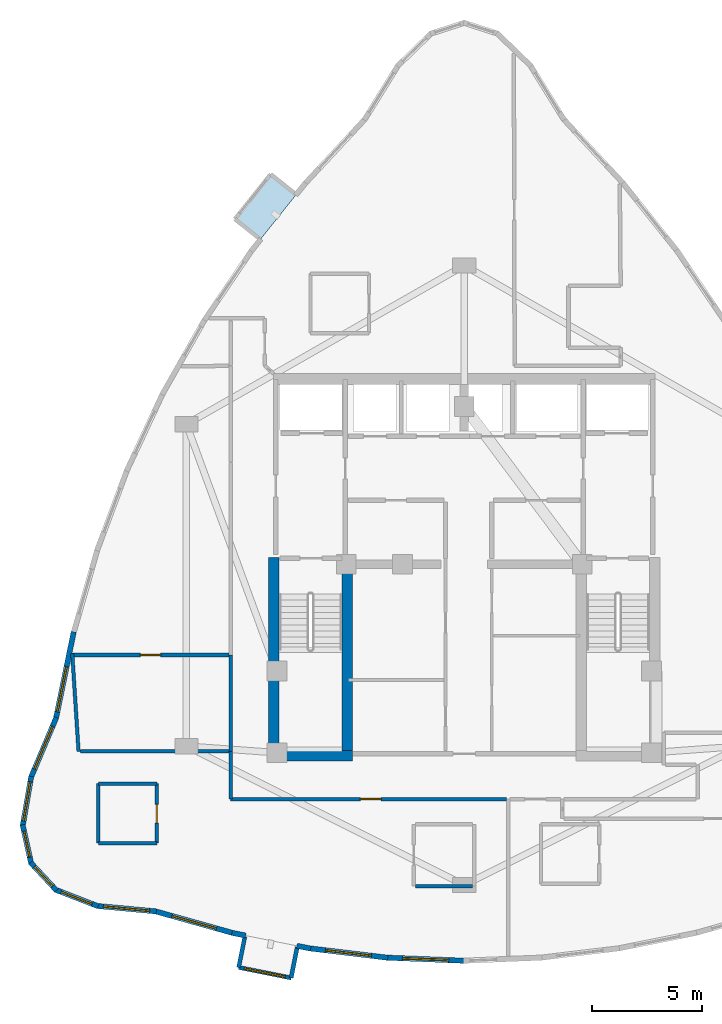
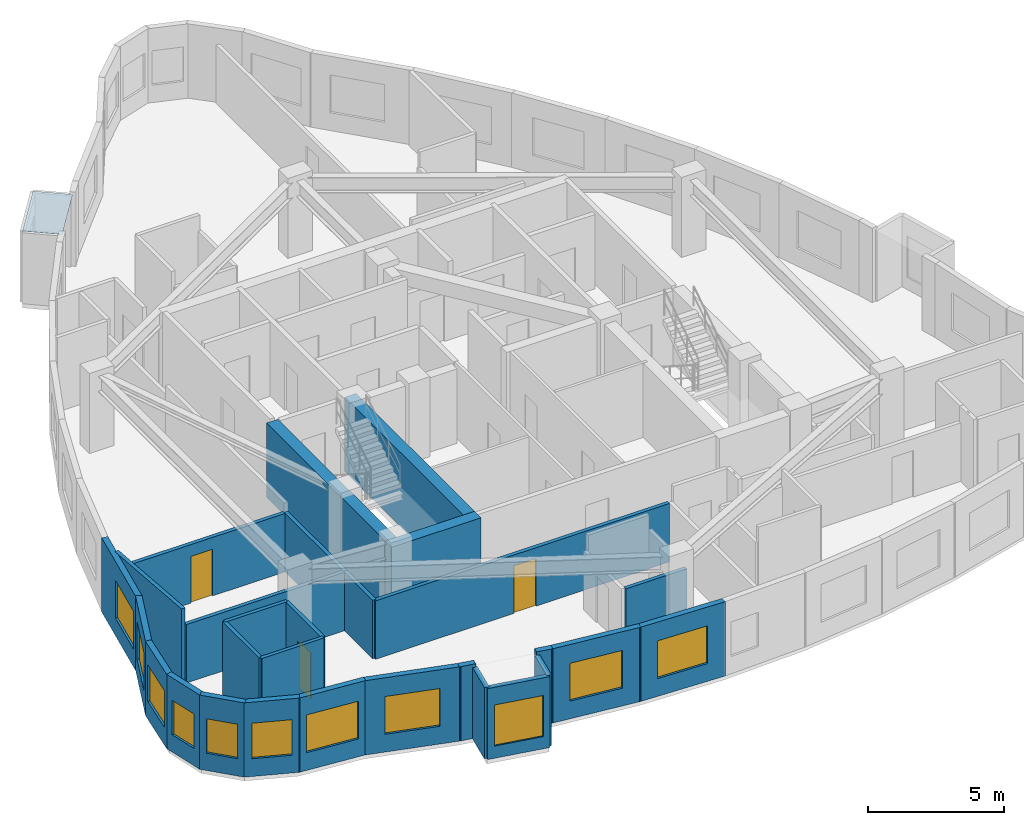
# One storey, part 7 of 12: 29 walls, 11 windows, 3 doors, 1 plate, 14 openings.
"""IFC4 building model written with IfcOpenShell, lengths in metres."""

from ifc_helpers import new_model, si_unit, direction, frame, frame_2d, origin, place, context, subcontext, project, spatial, polyline, rectangle, outline, extrude, material, layer, layer_set, type_object, element, fill, save


model = new_model("IFC4")

# Units and contexts
model_context = context("Model", 3, precision=1e-05, world=origin(), true_north=direction((0.0, 1.0)))
body_context = subcontext(model_context, "Body", "Model", "MODEL_VIEW")
ifc_project = project(units=[si_unit("LENGTHUNIT", "METRE"), si_unit("AREAUNIT", "SQUARE_METRE"), si_unit("VOLUMEUNIT", "CUBIC_METRE"), si_unit("PLANEANGLEUNIT", "RADIAN"), si_unit("MASSUNIT", "GRAM", prefix="KILO")], contexts=[model_context])

# Site, building, storey
site_placement = place(None, origin())
site = spatial("IfcSite", under=ifc_project, at=site_placement, CompositionType="ELEMENT")
building_placement = place(site_placement, origin())
building = spatial("IfcBuilding", under=site, at=building_placement, Name="Miruveldt Soraemaru", CompositionType="ELEMENT")
storey_placement = place(building_placement, frame((0.0, 0.0, 219.60009765625)))
storey = spatial("IfcBuildingStorey", under=building, at=storey_placement, Name="L60", CompositionType="ELEMENT", Elevation=219.60009765625)

# Plate
ifc_material_1 = material(Name="Standing-seam titanium-zinc sheet", Category="aluminium")
ifc_layer_1 = layer(ifc_material_1, 0.011962890625, Name="Standing-seam titanium-zinc sheet", Category="aluminium")
ifc_layer_set_1 = layer_set([ifc_layer_1], Name="Standing-seam titanium-zinc sheet")
plate_type = type_object("IfcPlateType", Name="PLT-ZINC-12", PredefinedType="SHEET", material=ifc_layer_set_1)
plate_placement = place(storey_placement, frame((0.0, 0.0, 3.19482421875)))
element("IfcPlate", 1, at=plate_placement, inside=storey, type_object=plate_type, Name="L60 Bay Window Zinc Hood Sheet 3", PredefinedType="SHEET", context=body_context, shape_type="SweptSolid", body=[
    extrude(outline(polyline([(36.3779296875, 60.817138671875), (34.75634765625, 58.784912109375), (33.599365234375, 59.707763671875), (35.220947265625, 61.740234375), (36.3779296875, 60.817138671875)])), origin(), (0.0, 0.0, 1.0), 0.011962890625),
])

# Walls
ifc_material_2 = material(Name="White powder-coated aluminium EN AW-6060 T6", Category="aluminium")
ifc_layer_2 = layer(ifc_material_2, 0.18994140625, Name="White powder-coated aluminium EN AW-6060 T6", Category="aluminium")
ifc_layer_set_2 = layer_set([ifc_layer_2], Name="White powder-coated aluminium EN AW-6060 T6")
wall_type_1 = type_object("IfcWallType", Name="WALL-BAY-ALU190", PredefinedType="SOLIDWALL", material=ifc_layer_set_2)
wall_1_placement = place(storey_placement, frame((34.04833984375, 27.157958984375, 0.0), z_axis=(0.0, 0.0, 1.0), x_axis=(-0.196149079112, -0.980574086321, 0.0)))
element("IfcWall", 2, at=wall_1_placement, inside=storey, type_object=wall_type_1, Name="L60 Bay Window Side Cheek 1L", PredefinedType="SOLIDWALL", context=body_context, shape_type="SweptSolid", body=[
    extrude(rectangle(XDim=1.425048828125, YDim=0.18994140625, at=frame_2d((0.71240234375, 0.0))), origin(), (0.0, 0.0, 1.0), 3.19482421875),
])
wall_2_placement = place(storey_placement, frame((36.148681640625, 25.28466796875, 0.0), z_axis=(0.0, 0.0, 1.0), x_axis=(0.196182033934, 0.980567493629, 0.0)))
element("IfcWall", 3, at=wall_2_placement, inside=storey, type_object=wall_type_1, Name="L60 Bay Window Side Cheek 1R", PredefinedType="SOLIDWALL", context=body_context, shape_type="SweptSolid", body=[
    extrude(rectangle(XDim=1.4248046875, YDim=0.18994140625, at=frame_2d((0.71240234375, 0.0))), origin(), (0.0, 0.0, 1.0), 3.19482421875),
])

# Wall, opening, window
wall_3_placement = place(storey_placement, frame((33.768798828125, 25.760498046875, 0.0), z_axis=(0.0, 0.0, 1.0), x_axis=(0.980592280997, -0.196058099678, 0.0)))
wall_3 = element("IfcWall", 4, at=wall_3_placement, inside=storey, type_object=wall_type_1, Name="L60 Bay Window Front Frame 1", PredefinedType="SOLIDWALL", context=body_context, shape_type="SweptSolid", body=[
    extrude(rectangle(XDim=2.427001953125, YDim=0.18994140625, at=frame_2d((1.21337890625, 0.0))), origin(), (0.0, 0.0, 1.0), 3.19482421875),
])
opening_1_placement = place(wall_3_placement, frame((0.262939453125, 0.0, 0.550048828125)))
opening_1 = element("IfcOpeningElement", 5, at=opening_1_placement, cuts=wall_3, Name="Opening WN-6", PredefinedType="OPENING", context=body_context, shape_type="SweptSolid", body=[
    extrude(rectangle(XDim=1.89990234375, YDim=1.85009765625, at=frame_2d((0.949951171875, 0.925048828125))), frame((0.0, 0.10498046875, 0.0), z_axis=(0.0, -1.0, 0.0), x_axis=(1.0, 0.0, 0.0)), (0.0, 0.0, 1.0), 0.2099609375),
])
ifc_material_3 = material(Name="Triple low-e insulated glazing", Category="glass")
window_type_1 = type_object("IfcWindowType", Name="WIN-BAYW-1900x1850", PartitioningType="SINGLE_PANEL", PredefinedType="WINDOW", material=ifc_material_3)
window_1_placement = place(opening_1_placement, origin())
window_1 = element("IfcWindow", 6, at=window_1_placement, inside=storey, type_object=window_type_1, Name="L60 Projecting Bay Window 1", OverallHeight=1.85009765625, OverallWidth=1.89990234375, PartitioningType="SINGLE_PANEL", PredefinedType="WINDOW", context=body_context, shape_type="SweptSolid", body=[
    extrude(rectangle(XDim=1.89990234375, YDim=1.85009765625, at=frame_2d((0.949951171875, 0.925048828125))), frame((0.0, 0.030029296875, 0.0), z_axis=(0.0, -1.0, 0.0), x_axis=(1.0, 0.0, 0.0)), (0.0, 0.0, 1.0), 0.06005859375),
])
fill(opening_1, window_1)

# Walls
ifc_material_4 = material(Name="Concrete C60/75 (60 MPa)", Category="concrete")
ifc_layer_3 = layer(ifc_material_4, 0.47998046875, Name="Concrete C60/75 (60 MPa)", Category="concrete")
ifc_layer_set_3 = layer_set([ifc_layer_3], Name="Concrete C60/75 (60 MPa)")
wall_type_2 = type_object("IfcWallType", Name="WALL-CW-480", PredefinedType="SHEAR", material=ifc_layer_set_3)
wall_4_placement = place(storey_placement, frame((35.1201171875, 35.360107421875, 0.0), z_axis=(0.0, 0.0, 1.0), x_axis=(1.0, 0.0, 0.0)))
element("IfcWall", 7, at=wall_4_placement, inside=storey, type_object=wall_type_2, Name="L60 Central Core Shear Wall S1", PredefinedType="SHEAR", context=body_context, shape_type="SweptSolid", body=[
    extrude(rectangle(XDim=3.809814453125, YDim=0.47998046875, at=frame_2d((1.90478515625, 0.0))), origin(), (0.0, 0.0, 1.0), 3.344970703125),
])
wall_5_placement = place(storey_placement, frame((35.360107421875, 35.1201171875, 0.0), z_axis=(0.0, 0.0, 1.0), x_axis=(0.0, 1.0, 0.0)))
element("IfcWall", 8, at=wall_5_placement, inside=storey, type_object=wall_type_2, Name="L60 Central Core Shear Wall W1", PredefinedType="SHEAR", context=body_context, shape_type="SweptSolid", body=[
    extrude(rectangle(XDim=9.22998046875, YDim=0.47998046875, at=frame_2d((4.614990234375, 0.0))), origin(), (0.0, 0.0, 1.0), 3.344970703125),
])
wall_6_placement = place(storey_placement, frame((38.68994140625, 35.39990234375, 0.0), z_axis=(0.0, 0.0, 1.0), x_axis=(0.0, 1.0, 0.0)))
element("IfcWall", 9, at=wall_6_placement, inside=storey, type_object=wall_type_2, Name="L60 Central Core Shear Wall SW-INT", PredefinedType="SHEAR", context=body_context, shape_type="SweptSolid", body=[
    extrude(rectangle(XDim=8.9501953125, YDim=0.47998046875, at=frame_2d((4.47509765625, 0.0))), origin(), (0.0, 0.0, 1.0), 3.344970703125),
])

# Wall, opening, window
ifc_material_5 = material(Name="Precast concrete C45/55 (45 MPa)", Category="concrete")
ifc_layer_4 = layer(ifc_material_5, 0.239990234375, Name="Precast concrete C45/55 (45 MPa)", Category="concrete")
ifc_layer_set_4 = layer_set([ifc_layer_4], Name="Precast concrete C45/55 (45 MPa)")
wall_type_3 = type_object("IfcWallType", Name="WALL-EXT-PC240", PredefinedType="SOLIDWALL", material=ifc_layer_set_4)
wall_7_placement = place(storey_placement, frame((26.287841796875, 40.98681640625, 0.0), z_axis=(0.0, 0.0, 1.0), x_axis=(-0.201579541159, -0.979472147938, 0.0)))
wall_7 = element("IfcWall", 10, at=wall_7_placement, inside=storey, type_object=wall_type_3, Name="L60 Precast Concrete Facade Wall 14", PredefinedType="SOLIDWALL", context=body_context, shape_type="SweptSolid", body=[
    extrude(rectangle(XDim=4.03662109375, YDim=0.239990234375, at=frame_2d((2.018310546875, 0.0))), origin(), (0.0, 0.0, 1.0), 3.344970703125),
])
opening_2_placement = place(wall_7_placement, frame((1.613037109375, 0.0, 0.800048828125)))
opening_2 = element("IfcOpeningElement", 11, at=opening_2_placement, cuts=wall_7, Name="Opening WN-1", PredefinedType="OPENING", context=body_context, shape_type="SweptSolid", body=[
    extrude(rectangle(XDim=2.10009765625, YDim=1.699951171875, at=frame_2d((1.050048828125, 0.85009765625))), frame((0.0, 0.1298828125, 0.0), z_axis=(0.0, -1.0, 0.0), x_axis=(1.0, 0.0, 0.0)), (0.0, 0.0, 1.0), 0.260009765625),
])
window_type_2 = type_object("IfcWindowType", Name="WIN-PUNCH-2100x1700", PartitioningType="SINGLE_PANEL", PredefinedType="WINDOW", material=ifc_material_3)
window_2_placement = place(opening_2_placement, origin())
window_2 = element("IfcWindow", 12, at=window_2_placement, inside=storey, type_object=window_type_2, Name="L60 Punched Triple-Glazed Window 14.1", OverallHeight=1.699951171875, OverallWidth=2.10009765625, PartitioningType="SINGLE_PANEL", PredefinedType="WINDOW", context=body_context, shape_type="SweptSolid", body=[
    extrude(rectangle(XDim=2.10009765625, YDim=1.699951171875, at=frame_2d((1.050048828125, 0.85009765625))), frame((0.0, 0.030029296875, 0.0), z_axis=(0.0, -1.0, 0.0), x_axis=(1.0, 0.0, 0.0)), (0.0, 0.0, 1.0), 0.06005859375),
])
fill(opening_2, window_2)

wall_8_placement = place(storey_placement, frame((25.49462890625, 37.099609375, 0.0), z_axis=(0.0, 0.0, 1.0), x_axis=(-0.388596043181, -0.921408223983, 0.0)))
wall_8 = element("IfcWall", 13, at=wall_8_placement, inside=storey, type_object=wall_type_3, Name="L60 Precast Concrete Facade Wall 15", PredefinedType="SOLIDWALL", context=body_context, shape_type="SweptSolid", body=[
    extrude(rectangle(XDim=2.97607421875, YDim=0.239990234375, at=frame_2d((1.488037109375, 0.0))), origin(), (0.0, 0.0, 1.0), 3.344970703125),
])
opening_3_placement = place(wall_8_placement, frame((0.43798828125, 0.0, 0.800048828125)))
opening_3 = element("IfcOpeningElement", 14, at=opening_3_placement, cuts=wall_8, Name="Opening WN-1", PredefinedType="OPENING", context=body_context, shape_type="SweptSolid", body=[
    extrude(rectangle(XDim=2.10009765625, YDim=1.699951171875, at=frame_2d((1.050048828125, 0.85009765625))), frame((0.0, 0.1298828125, 0.0), z_axis=(0.0, -1.0, 0.0), x_axis=(1.0, 0.0, 0.0)), (0.0, 0.0, 1.0), 0.260009765625),
])
window_3_placement = place(opening_3_placement, origin())
window_3 = element("IfcWindow", 15, at=window_3_placement, inside=storey, type_object=window_type_2, Name="L60 Punched Triple-Glazed Window 15.1", OverallHeight=1.699951171875, OverallWidth=2.10009765625, PartitioningType="SINGLE_PANEL", PredefinedType="WINDOW", context=body_context, shape_type="SweptSolid", body=[
    extrude(rectangle(XDim=2.10009765625, YDim=1.699951171875, at=frame_2d((1.050048828125, 0.85009765625))), frame((0.0, 0.030029296875, 0.0), z_axis=(0.0, -1.0, 0.0), x_axis=(1.0, 0.0, 0.0)), (0.0, 0.0, 1.0), 0.06005859375),
])
fill(opening_3, window_3)

wall_9_placement = place(storey_placement, frame((24.357666015625, 34.424072265625, 0.0), z_axis=(0.0, 0.0, 1.0), x_axis=(-0.169300719574, -0.985564440487, 0.0)))
wall_9 = element("IfcWall", 16, at=wall_9_placement, inside=storey, type_object=wall_type_3, Name="L60 Precast Concrete Facade Wall 16", PredefinedType="SOLIDWALL", context=body_context, shape_type="SweptSolid", body=[
    extrude(rectangle(XDim=2.29296875, YDim=0.239990234375, at=frame_2d((1.146484375, 0.0))), origin(), (0.0, 0.0, 1.0), 3.344970703125),
])
opening_4_placement = place(wall_9_placement, frame((0.2470703125, 0.0, 0.800048828125)))
opening_4 = element("IfcOpeningElement", 17, at=opening_4_placement, cuts=wall_9, Name="Opening WN-2", PredefinedType="OPENING", context=body_context, shape_type="SweptSolid", body=[
    extrude(rectangle(XDim=1.800048828125, YDim=1.64990234375, at=frame_2d((0.89990234375, 0.824951171875))), frame((0.0, 0.1298828125, 0.0), z_axis=(0.0, -1.0, 0.0), x_axis=(1.0, 0.0, 0.0)), (0.0, 0.0, 1.0), 0.260009765625),
])
window_type_3 = type_object("IfcWindowType", Name="WIN-PUNCH-1800x1650", PartitioningType="SINGLE_PANEL", PredefinedType="WINDOW", material=ifc_material_3)
window_4_placement = place(opening_4_placement, origin())
window_4 = element("IfcWindow", 18, at=window_4_placement, inside=storey, type_object=window_type_3, Name="L60 Punched Triple-Glazed Window 16.1", OverallHeight=1.64990234375, OverallWidth=1.800048828125, PartitioningType="SINGLE_PANEL", PredefinedType="WINDOW", context=body_context, shape_type="SweptSolid", body=[
    extrude(rectangle(XDim=1.800048828125, YDim=1.64990234375, at=frame_2d((0.89990234375, 0.824951171875))), frame((0.0, 0.030029296875, 0.0), z_axis=(0.0, -1.0, 0.0), x_axis=(1.0, 0.0, 0.0)), (0.0, 0.0, 1.0), 0.06005859375),
])
fill(opening_4, window_4)

wall_10_placement = place(storey_placement, frame((23.9677734375, 32.23291015625, 0.0), z_axis=(0.0, 0.0, 1.0), x_axis=(0.215762394051, -0.976445896767, 0.0)))
wall_10 = element("IfcWall", 19, at=wall_10_placement, inside=storey, type_object=wall_type_3, Name="L60 Precast Concrete Facade Wall 17", PredefinedType="SOLIDWALL", context=body_context, shape_type="SweptSolid", body=[
    extrude(rectangle(XDim=1.81494140625, YDim=0.239990234375, at=frame_2d((0.907470703125, 0.0))), origin(), (0.0, 0.0, 1.0), 3.344970703125),
])
opening_5_placement = place(wall_10_placement, frame((0.306884765625, 0.0, 0.780029296875)))
opening_5 = element("IfcOpeningElement", 20, at=opening_5_placement, cuts=wall_10, Name="Opening WN-4", PredefinedType="OPENING", context=body_context, shape_type="SweptSolid", body=[
    extrude(rectangle(XDim=1.199951171875, YDim=1.550048828125, at=frame_2d((0.60009765625, 0.77490234375))), frame((0.0, 0.1298828125, 0.0), z_axis=(0.0, -1.0, 0.0), x_axis=(1.0, 0.0, 0.0)), (0.0, 0.0, 1.0), 0.260009765625),
])
window_type_4 = type_object("IfcWindowType", Name="WIN-PUNCH-1200x1550", PartitioningType="SINGLE_PANEL", PredefinedType="WINDOW", material=ifc_material_3)
window_5_placement = place(opening_5_placement, origin())
window_5 = element("IfcWindow", 21, at=window_5_placement, inside=storey, type_object=window_type_4, Name="L60 Punched Triple-Glazed Window 17.1", OverallHeight=1.550048828125, OverallWidth=1.199951171875, PartitioningType="SINGLE_PANEL", PredefinedType="WINDOW", context=body_context, shape_type="SweptSolid", body=[
    extrude(rectangle(XDim=1.199951171875, YDim=1.550048828125, at=frame_2d((0.60009765625, 0.77490234375))), frame((0.0, 0.030029296875, 0.0), z_axis=(0.0, -1.0, 0.0), x_axis=(1.0, 0.0, 0.0)), (0.0, 0.0, 1.0), 0.06005859375),
])
fill(opening_5, window_5)

wall_11_placement = place(storey_placement, frame((24.327880859375, 30.5205078125, 0.0), z_axis=(0.0, 0.0, 1.0), x_axis=(0.680158830512, -0.733064775635, 0.0)))
wall_11 = element("IfcWall", 22, at=wall_11_placement, inside=storey, type_object=wall_type_3, Name="L60 Precast Concrete Facade Wall 18", PredefinedType="SOLIDWALL", context=body_context, shape_type="SweptSolid", body=[
    extrude(rectangle(XDim=1.73046875, YDim=0.239990234375, at=frame_2d((0.865234375, 0.0))), origin(), (0.0, 0.0, 1.0), 3.344970703125),
])
opening_6_placement = place(wall_11_placement, frame((0.264892578125, 0.0, 0.780029296875)))
opening_6 = element("IfcOpeningElement", 23, at=opening_6_placement, cuts=wall_11, Name="Opening WN-4", PredefinedType="OPENING", context=body_context, shape_type="SweptSolid", body=[
    extrude(rectangle(XDim=1.199951171875, YDim=1.550048828125, at=frame_2d((0.60009765625, 0.77490234375))), frame((0.0, 0.1298828125, 0.0), z_axis=(0.0, -1.0, 0.0), x_axis=(1.0, 0.0, 0.0)), (0.0, 0.0, 1.0), 0.260009765625),
])
window_6_placement = place(opening_6_placement, origin())
window_6 = element("IfcWindow", 24, at=window_6_placement, inside=storey, type_object=window_type_4, Name="L60 Punched Triple-Glazed Window 18.1", OverallHeight=1.550048828125, OverallWidth=1.199951171875, PartitioningType="SINGLE_PANEL", PredefinedType="WINDOW", context=body_context, shape_type="SweptSolid", body=[
    extrude(rectangle(XDim=1.199951171875, YDim=1.550048828125, at=frame_2d((0.60009765625, 0.77490234375))), frame((0.0, 0.030029296875, 0.0), z_axis=(0.0, -1.0, 0.0), x_axis=(1.0, 0.0, 0.0)), (0.0, 0.0, 1.0), 0.06005859375),
])
fill(opening_6, window_6)

wall_12_placement = place(storey_placement, frame((25.448486328125, 29.290283203125, 0.0), z_axis=(0.0, 0.0, 1.0), x_axis=(0.932287324151, -0.361718599504, 0.0)))
wall_12 = element("IfcWall", 25, at=wall_12_placement, inside=storey, type_object=wall_type_3, Name="L60 Precast Concrete Facade Wall 19", PredefinedType="SOLIDWALL", context=body_context, shape_type="SweptSolid", body=[
    extrude(rectangle(XDim=2.0888671875, YDim=0.239990234375, at=frame_2d((1.04443359375, 0.0))), origin(), (0.0, 0.0, 1.0), 3.344970703125),
])
opening_7_placement = place(wall_12_placement, frame((0.2939453125, 0.0, 0.800048828125)))
opening_7 = element("IfcOpeningElement", 26, at=opening_7_placement, cuts=wall_12, Name="Opening WN-3", PredefinedType="OPENING", context=body_context, shape_type="SweptSolid", body=[
    extrude(rectangle(XDim=1.5, YDim=1.60009765625, at=frame_2d((0.75, 0.800048828125))), frame((0.0, 0.1298828125, 0.0), z_axis=(0.0, -1.0, 0.0), x_axis=(1.0, 0.0, 0.0)), (0.0, 0.0, 1.0), 0.260009765625),
])
window_type_5 = type_object("IfcWindowType", Name="WIN-PUNCH-1500x1600", PartitioningType="SINGLE_PANEL", PredefinedType="WINDOW", material=ifc_material_3)
window_7_placement = place(opening_7_placement, origin())
window_7 = element("IfcWindow", 27, at=window_7_placement, inside=storey, type_object=window_type_5, Name="L60 Punched Triple-Glazed Window 19.1", OverallHeight=1.60009765625, OverallWidth=1.5, PartitioningType="SINGLE_PANEL", PredefinedType="WINDOW", context=body_context, shape_type="SweptSolid", body=[
    extrude(rectangle(XDim=1.5, YDim=1.60009765625, at=frame_2d((0.75, 0.800048828125))), frame((0.0, 0.030029296875, 0.0), z_axis=(0.0, -1.0, 0.0), x_axis=(1.0, 0.0, 0.0)), (0.0, 0.0, 1.0), 0.06005859375),
])
fill(opening_7, window_7)

wall_13_placement = place(storey_placement, frame((27.32861328125, 28.550537109375, 0.0), z_axis=(0.0, 0.0, 1.0), x_axis=(0.995764020847, -0.09194571652, 0.0)))
wall_13 = element("IfcWall", 28, at=wall_13_placement, inside=storey, type_object=wall_type_3, Name="L60 Precast Concrete Facade Wall 20", PredefinedType="SOLIDWALL", context=body_context, shape_type="SweptSolid", body=[
    extrude(rectangle(XDim=2.71630859375, YDim=0.239990234375, at=frame_2d((1.358154296875, 0.0))), origin(), (0.0, 0.0, 1.0), 3.344970703125),
])
opening_8_placement = place(wall_13_placement, frame((0.30810546875, 0.0, 0.800048828125)))
opening_8 = element("IfcOpeningElement", 29, at=opening_8_placement, cuts=wall_13, Name="Opening WN-1", PredefinedType="OPENING", context=body_context, shape_type="SweptSolid", body=[
    extrude(rectangle(XDim=2.10009765625, YDim=1.699951171875, at=frame_2d((1.050048828125, 0.85009765625))), frame((0.0, 0.1298828125, 0.0), z_axis=(0.0, -1.0, 0.0), x_axis=(1.0, 0.0, 0.0)), (0.0, 0.0, 1.0), 0.260009765625),
])
window_8_placement = place(opening_8_placement, origin())
window_8 = element("IfcWindow", 30, at=window_8_placement, inside=storey, type_object=window_type_2, Name="L60 Punched Triple-Glazed Window 20.1", OverallHeight=1.699951171875, OverallWidth=2.10009765625, PartitioningType="SINGLE_PANEL", PredefinedType="WINDOW", context=body_context, shape_type="SweptSolid", body=[
    extrude(rectangle(XDim=2.10009765625, YDim=1.699951171875, at=frame_2d((1.050048828125, 0.85009765625))), frame((0.0, 0.030029296875, 0.0), z_axis=(0.0, -1.0, 0.0), x_axis=(1.0, 0.0, 0.0)), (0.0, 0.0, 1.0), 0.06005859375),
])
fill(opening_8, window_8)

wall_14_placement = place(storey_placement, frame((29.96484375, 28.3134765625, 0.0), z_axis=(0.0, 0.0, 1.0), x_axis=(0.962962651001, -0.269634813733, 0.0)))
wall_14 = element("IfcWall", 31, at=wall_14_placement, inside=storey, type_object=wall_type_3, Name="L60 Precast Concrete Facade Wall 21", PredefinedType="SOLIDWALL", context=body_context, shape_type="SweptSolid", body=[
    extrude(rectangle(XDim=3.705078125, YDim=0.239990234375, at=frame_2d((1.8525390625, 0.0))), origin(), (0.0, 0.0, 1.0), 3.344970703125),
])
opening_9_placement = place(wall_14_placement, frame((0.802001953125, 0.0, 0.800048828125)))
opening_9 = element("IfcOpeningElement", 32, at=opening_9_placement, cuts=wall_14, Name="Opening WN-1", PredefinedType="OPENING", context=body_context, shape_type="SweptSolid", body=[
    extrude(rectangle(XDim=2.10009765625, YDim=1.699951171875, at=frame_2d((1.050048828125, 0.85009765625))), frame((0.0, 0.1298828125, 0.0), z_axis=(0.0, -1.0, 0.0), x_axis=(1.0, 0.0, 0.0)), (0.0, 0.0, 1.0), 0.260009765625),
])
window_9_placement = place(opening_9_placement, origin())
window_9 = element("IfcWindow", 33, at=window_9_placement, inside=storey, type_object=window_type_2, Name="L60 Punched Triple-Glazed Window 21.1", OverallHeight=1.699951171875, OverallWidth=2.10009765625, PartitioningType="SINGLE_PANEL", PredefinedType="WINDOW", context=body_context, shape_type="SweptSolid", body=[
    extrude(rectangle(XDim=2.10009765625, YDim=1.699951171875, at=frame_2d((1.050048828125, 0.85009765625))), frame((0.0, 0.030029296875, 0.0), z_axis=(0.0, -1.0, 0.0), x_axis=(1.0, 0.0, 0.0)), (0.0, 0.0, 1.0), 0.06005859375),
])
fill(opening_9, window_9)

# Walls
for number, where, z_axis, x_axis, name in (
    (34, (33.464599609375, 27.330810546875, 0.0), (0.0, 0.0, 1.0), (0.980521613497, -0.196411215223, 0.0), "L60 Precast Pier Wall 22A"),
    (35, (36.40966796875, 26.74169921875, 0.0), (0.0, 0.0, 1.0), (0.980595428474, -0.196042356788, 0.0), "L60 Precast Pier Wall 22B"),
):
    element("IfcWall", number, at=place(storey_placement, frame(where, z_axis=z_axis, x_axis=x_axis)), inside=storey, type_object=wall_type_3, Name=name, PredefinedType="SOLIDWALL", context=body_context, shape_type="SweptSolid", body=[
        extrude(rectangle(XDim=0.636474609375, YDim=0.239990234375, at=frame_2d((0.318359375, 0.0))), origin(), (0.0, 0.0, 1.0), 3.344970703125),
    ])

# Wall, opening, window
wall_15_placement = place(storey_placement, frame((36.964599609375, 26.6279296875, 0.0), z_axis=(0.0, 0.0, 1.0), x_axis=(0.992881978506, -0.119102379312, 0.0)))
wall_15 = element("IfcWall", 36, at=wall_15_placement, inside=storey, type_object=wall_type_3, Name="L60 Precast Concrete Facade Wall 23", PredefinedType="SOLIDWALL", context=body_context, shape_type="SweptSolid", body=[
    extrude(rectangle(XDim=3.595458984375, YDim=0.239990234375, at=frame_2d((1.7978515625, 0.0))), origin(), (0.0, 0.0, 1.0), 3.344970703125),
])
opening_10_placement = place(wall_15_placement, frame((0.748046875, 0.0, 0.800048828125)))
opening_10 = element("IfcOpeningElement", 37, at=opening_10_placement, cuts=wall_15, Name="Opening WN-1", PredefinedType="OPENING", context=body_context, shape_type="SweptSolid", body=[
    extrude(rectangle(XDim=2.10009765625, YDim=1.699951171875, at=frame_2d((1.050048828125, 0.85009765625))), frame((0.0, 0.1298828125, 0.0), z_axis=(0.0, -1.0, 0.0), x_axis=(1.0, 0.0, 0.0)), (0.0, 0.0, 1.0), 0.260009765625),
])
window_10_placement = place(opening_10_placement, origin())
window_10 = element("IfcWindow", 38, at=window_10_placement, inside=storey, type_object=window_type_2, Name="L60 Punched Triple-Glazed Window 23.1", OverallHeight=1.699951171875, OverallWidth=2.10009765625, PartitioningType="SINGLE_PANEL", PredefinedType="WINDOW", context=body_context, shape_type="SweptSolid", body=[
    extrude(rectangle(XDim=2.10009765625, YDim=1.699951171875, at=frame_2d((1.050048828125, 0.85009765625))), frame((0.0, 0.030029296875, 0.0), z_axis=(0.0, -1.0, 0.0), x_axis=(1.0, 0.0, 0.0)), (0.0, 0.0, 1.0), 0.06005859375),
])
fill(opening_10, window_10)

wall_16_placement = place(storey_placement, frame((40.464599609375, 26.205078125, 0.0), z_axis=(0.0, 0.0, 1.0), x_axis=(0.999203576114, -0.039902549812, 0.0)))
wall_16 = element("IfcWall", 39, at=wall_16_placement, inside=storey, type_object=wall_type_3, Name="L60 Precast Concrete Facade Wall 24", PredefinedType="SOLIDWALL", context=body_context, shape_type="SweptSolid", body=[
    extrude(rectangle(XDim=3.5732421875, YDim=0.239990234375, at=frame_2d((1.78662109375, 0.0))), origin(), (0.0, 0.0, 1.0), 3.344970703125),
])
opening_11_placement = place(wall_16_placement, frame((0.736083984375, 0.0, 0.800048828125)))
opening_11 = element("IfcOpeningElement", 40, at=opening_11_placement, cuts=wall_16, Name="Opening WN-1", PredefinedType="OPENING", context=body_context, shape_type="SweptSolid", body=[
    extrude(rectangle(XDim=2.10009765625, YDim=1.699951171875, at=frame_2d((1.050048828125, 0.85009765625))), frame((0.0, 0.1298828125, 0.0), z_axis=(0.0, -1.0, 0.0), x_axis=(1.0, 0.0, 0.0)), (0.0, 0.0, 1.0), 0.260009765625),
])
window_11_placement = place(opening_11_placement, origin())
window_11 = element("IfcWindow", 41, at=window_11_placement, inside=storey, type_object=window_type_2, Name="L60 Punched Triple-Glazed Window 24.1", OverallHeight=1.699951171875, OverallWidth=2.10009765625, PartitioningType="SINGLE_PANEL", PredefinedType="WINDOW", context=body_context, shape_type="SweptSolid", body=[
    extrude(rectangle(XDim=2.10009765625, YDim=1.699951171875, at=frame_2d((1.050048828125, 0.85009765625))), frame((0.0, 0.030029296875, 0.0), z_axis=(0.0, -1.0, 0.0), x_axis=(1.0, 0.0, 0.0)), (0.0, 0.0, 1.0), 0.06005859375),
])
fill(opening_11, window_11)

# Wall, opening, door
ifc_material_6 = material(Name="Gypsum plasterboard lining", Category="gypsum")
ifc_layer_5 = layer(ifc_material_6, 0.14990234375, Name="Gypsum plasterboard lining", Category="gypsum")
ifc_layer_set_5 = layer_set([ifc_layer_5], Name="Gypsum plasterboard lining")
wall_type_4 = type_object("IfcWallType", Name="WALL-INT-PLUMB", PredefinedType="PLUMBINGWALL", material=ifc_layer_set_5)
wall_17_placement = place(storey_placement, frame((30.054931640625, 31.39599609375, 0.0), z_axis=(0.0, 0.0, 1.0), x_axis=(0.0, 1.0, 0.0)))
wall_17 = element("IfcWall", 42, at=wall_17_placement, inside=storey, type_object=wall_type_4, Name="L60 Partition Wall 19", PredefinedType="PLUMBINGWALL", context=body_context, shape_type="SweptSolid", body=[
    extrude(rectangle(XDim=2.699951171875, YDim=0.14990234375, at=frame_2d((1.35009765625, 0.0))), origin(), (0.0, 0.0, 1.0), 3.344970703125),
])
opening_12_placement = place(wall_17_placement, frame((0.909912109375, 0.0, 0.0)))
opening_12 = element("IfcOpeningElement", 43, at=opening_12_placement, cuts=wall_17, Name="Opening FD3", PredefinedType="OPENING", context=body_context, shape_type="SweptSolid", body=[
    extrude(rectangle(XDim=0.85009765625, YDim=2.10009765625, at=frame_2d((0.425048828125, 1.050048828125))), frame((0.0, 0.0849609375, 0.0), z_axis=(0.0, -1.0, 0.0), x_axis=(1.0, 0.0, 0.0)), (0.0, 0.0, 1.0), 0.169921875),
])
ifc_material_7 = material(Name="Anodised aluminium EN AW-6063 T6", Category="aluminium")
door_type_1 = type_object("IfcDoorType", Name="DOOR-FD3-850", OperationType="NOTDEFINED", PredefinedType="DOOR", material=ifc_material_7)
door_1_placement = place(opening_12_placement, origin())
door_1 = element("IfcDoor", 44, at=door_1_placement, inside=storey, type_object=door_type_1, Name="L60 Unit 6002 BTH Door", OperationType="SINGLE_SWING_RIGHT", OverallHeight=2.10009765625, OverallWidth=0.85009765625, PredefinedType="DOOR", context=body_context, shape_type="SweptSolid", body=[
    extrude(rectangle(XDim=0.85009765625, YDim=2.10009765625, at=frame_2d((0.425048828125, 1.050048828125))), frame((0.0, 0.02490234375, 0.0), z_axis=(0.0, -1.0, 0.0), x_axis=(1.0, 0.0, 0.0)), (0.0, 0.0, 1.0), 0.050048828125),
])
fill(opening_12, door_1)

# Walls
wall_18_placement = place(storey_placement, frame((27.405029296875, 34.095947265625, 0.0), z_axis=(0.0, 0.0, 1.0), x_axis=(0.0, -1.0, 0.0)))
element("IfcWall", 45, at=wall_18_placement, inside=storey, type_object=wall_type_4, Name="L60 Partition Wall 21", PredefinedType="PLUMBINGWALL", context=body_context, shape_type="SweptSolid", body=[
    extrude(rectangle(XDim=2.699951171875, YDim=0.14990234375, at=frame_2d((1.35009765625, 0.0))), origin(), (0.0, 0.0, 1.0), 3.344970703125),
])
for number, where, z_axis, x_axis, name in (
    (46, (30.054931640625, 34.095947265625, 0.0), (0.0, 0.0, 1.0), (-1.0, 0.0, 0.0), "L60 Partition Wall 20"),
    (47, (27.405029296875, 31.39599609375, 0.0), (0.0, 0.0, 1.0), (1.0, 0.0, 0.0), "L60 Partition Wall 22"),
):
    element("IfcWall", number, at=place(storey_placement, frame(where, z_axis=z_axis, x_axis=x_axis)), inside=storey, type_object=wall_type_4, Name=name, PredefinedType="PLUMBINGWALL", context=body_context, shape_type="SweptSolid", body=[
        extrude(rectangle(XDim=2.64990234375, YDim=0.14990234375, at=frame_2d((1.324951171875, 0.0))), origin(), (0.0, 0.0, 1.0), 3.344970703125),
    ])

# Wall, opening, door
ifc_material_8 = material(Name="Concrete C40/50 (40 MPa)", Category="concrete")
ifc_layer_6 = layer(ifc_material_8, 0.159912109375, Name="Concrete C40/50 (40 MPa)", Category="concrete")
ifc_layer_set_6 = layer_set([ifc_layer_6], Name="Concrete C40/50 (40 MPa)")
wall_type_5 = type_object("IfcWallType", Name="WALL-INT-RC160", PredefinedType="SOLIDWALL", material=ifc_layer_set_6)
wall_19_placement = place(storey_placement, frame((33.39990234375, 33.39990234375, 0.0), z_axis=(0.0, 0.0, 1.0), x_axis=(1.0, 0.0, 0.0)))
wall_19 = element("IfcWall", 48, at=wall_19_placement, inside=storey, type_object=wall_type_5, Name="L60 Partition Wall 7", PredefinedType="SOLIDWALL", context=body_context, shape_type="SweptSolid", body=[
    extrude(rectangle(XDim=12.51611328125, YDim=0.159912109375, at=frame_2d((6.258056640625, 0.0))), origin(), (0.0, 0.0, 1.0), 2.6328125),
])
opening_13_placement = place(wall_19_placement, frame((5.884033203125, 0.0, 0.0)))
opening_13 = element("IfcOpeningElement", 49, at=opening_13_placement, cuts=wall_19, Name="Opening FD2", PredefinedType="OPENING", context=body_context, shape_type="SweptSolid", body=[
    extrude(rectangle(XDim=0.949951171875, YDim=2.14990234375, at=frame_2d((0.47509765625, 1.074951171875))), frame((0.0, 0.08984375, 0.0), z_axis=(0.0, -1.0, 0.0), x_axis=(1.0, 0.0, 0.0)), (0.0, 0.0, 1.0), 0.179931640625),
])
door_type_2 = type_object("IfcDoorType", Name="DOOR-FD2-950", OperationType="NOTDEFINED", PredefinedType="DOOR", material=ifc_material_7)
door_2_placement = place(opening_13_placement, origin())
door_2 = element("IfcDoor", 50, at=door_2_placement, inside=storey, type_object=door_type_2, Name="L60 Unit 6002 Entrance Fire Door", OperationType="SINGLE_SWING_LEFT", OverallHeight=2.14990234375, OverallWidth=0.949951171875, PredefinedType="DOOR", context=body_context, shape_type="SweptSolid", body=[
    extrude(rectangle(XDim=0.949951171875, YDim=2.14990234375, at=frame_2d((0.47509765625, 1.074951171875))), frame((0.0, 0.02490234375, 0.0), z_axis=(0.0, -1.0, 0.0), x_axis=(1.0, 0.0, 0.0)), (0.0, 0.0, 1.0), 0.050048828125),
])
fill(opening_13, door_2)

wall_20_placement = place(storey_placement, frame((26.208984375, 39.93310546875, 0.0), z_axis=(0.0, 0.0, 1.0), x_axis=(1.0, 0.0, 0.0)))
wall_20 = element("IfcWall", 51, at=wall_20_placement, inside=storey, type_object=wall_type_5, Name="L60 Partition Wall 29", PredefinedType="SOLIDWALL", context=body_context, shape_type="SweptSolid", body=[
    extrude(rectangle(XDim=7.111083984375, YDim=0.159912109375, at=frame_2d((3.5556640625, 0.0))), origin(), (0.0, 0.0, 1.0), 2.6328125),
])
opening_14_placement = place(wall_20_placement, frame((3.095947265625, 0.0, 0.0)))
opening_14 = element("IfcOpeningElement", 52, at=opening_14_placement, cuts=wall_20, Name="Opening D3A", PredefinedType="OPENING", context=body_context, shape_type="SweptSolid", body=[
    extrude(rectangle(XDim=0.919921875, YDim=2.10009765625, at=frame_2d((0.4599609375, 1.050048828125))), frame((0.0, 0.08984375, 0.0), z_axis=(0.0, -1.0, 0.0), x_axis=(1.0, 0.0, 0.0)), (0.0, 0.0, 1.0), 0.179931640625),
])
door_type_3 = type_object("IfcDoorType", Name="DOOR-INT-920", OperationType="NOTDEFINED", PredefinedType="DOOR", material=ifc_material_7)
door_3_placement = place(opening_14_placement, origin())
door_3 = element("IfcDoor", 53, at=door_3_placement, inside=storey, type_object=door_type_3, Name="L60 Unit 6002 BD1 Door", OperationType="SINGLE_SWING_RIGHT", OverallHeight=2.10009765625, OverallWidth=0.919921875, PredefinedType="DOOR", context=body_context, shape_type="SweptSolid", body=[
    extrude(rectangle(XDim=0.919921875, YDim=2.10009765625, at=frame_2d((0.4599609375, 1.050048828125))), frame((0.0, 0.02490234375, 0.0), z_axis=(0.0, -1.0, 0.0), x_axis=(1.0, 0.0, 0.0)), (0.0, 0.0, 1.0), 0.050048828125),
])
fill(opening_14, door_3)

# Walls
wall_21_placement = place(storey_placement, frame((33.320068359375, 35.56103515625, 0.0), z_axis=(0.0, 0.0, 1.0), x_axis=(-1.0, 0.0, 0.0)))
element("IfcWall", 54, at=wall_21_placement, inside=storey, type_object=wall_type_5, Name="L60 Partition Wall 27", PredefinedType="SOLIDWALL", context=body_context, shape_type="SweptSolid", body=[
    extrude(rectangle(XDim=6.733154296875, YDim=0.159912109375, at=frame_2d((3.36669921875, 0.0))), origin(), (0.0, 0.0, 1.0), 2.6328125),
])
wall_22_placement = place(storey_placement, frame((26.507080078125, 35.56103515625, 0.0), z_axis=(0.0, 0.0, 1.0), x_axis=(-0.064442333957, 0.997921432576, 0.0)))
element("IfcWall", 55, at=wall_22_placement, inside=storey, type_object=wall_type_5, Name="L60 Partition Wall 28", PredefinedType="SOLIDWALL", context=body_context, shape_type="SweptSolid", body=[
    extrude(rectangle(XDim=4.440185546875, YDim=0.159912109375, at=frame_2d((2.22021484375, 0.0))), origin(), (0.0, 0.0, 1.0), 3.344970703125),
])
wall_23_placement = place(storey_placement, frame((33.39990234375, 39.93310546875, 0.0), z_axis=(0.0, 0.0, 1.0), x_axis=(0.0, -1.0, 0.0)))
element("IfcWall", 56, at=wall_23_placement, inside=storey, type_object=wall_type_5, Name="L60 Partition Wall 8", PredefinedType="SOLIDWALL", context=body_context, shape_type="SweptSolid", body=[
    extrude(rectangle(XDim=4.3720703125, YDim=0.159912109375, at=frame_2d((2.18603515625, 0.0))), origin(), (0.0, 0.0, 1.0), 2.6328125),
])
wall_24_placement = place(storey_placement, frame((41.784912109375, 29.446044921875, 0.0), z_axis=(0.0, 0.0, 1.0), x_axis=(1.0, 0.0, 0.0)))
element("IfcWall", 57, at=wall_24_placement, inside=storey, type_object=wall_type_5, Name="L60 Partition Wall 26", PredefinedType="SOLIDWALL", context=body_context, shape_type="SweptSolid", body=[
    extrude(rectangle(XDim=2.590087890625, YDim=0.159912109375, at=frame_2d((1.294921875, 0.0))), origin(), (0.0, 0.0, 1.0), 2.6328125),
])
wall_25_placement = place(storey_placement, frame((33.39990234375, 35.556884765625, 0.0), z_axis=(0.0, 0.0, 1.0), x_axis=(0.0, -1.0, 0.0)))
element("IfcWall", 58, at=wall_25_placement, inside=storey, type_object=wall_type_5, Name="L60 Partition Wall 6", PredefinedType="SOLIDWALL", context=body_context, shape_type="SweptSolid", body=[
    extrude(rectangle(XDim=2.156982421875, YDim=0.159912109375, at=frame_2d((1.07861328125, 0.0))), origin(), (0.0, 0.0, 1.0), 2.6328125),
])

save(model, "model.ifc")
